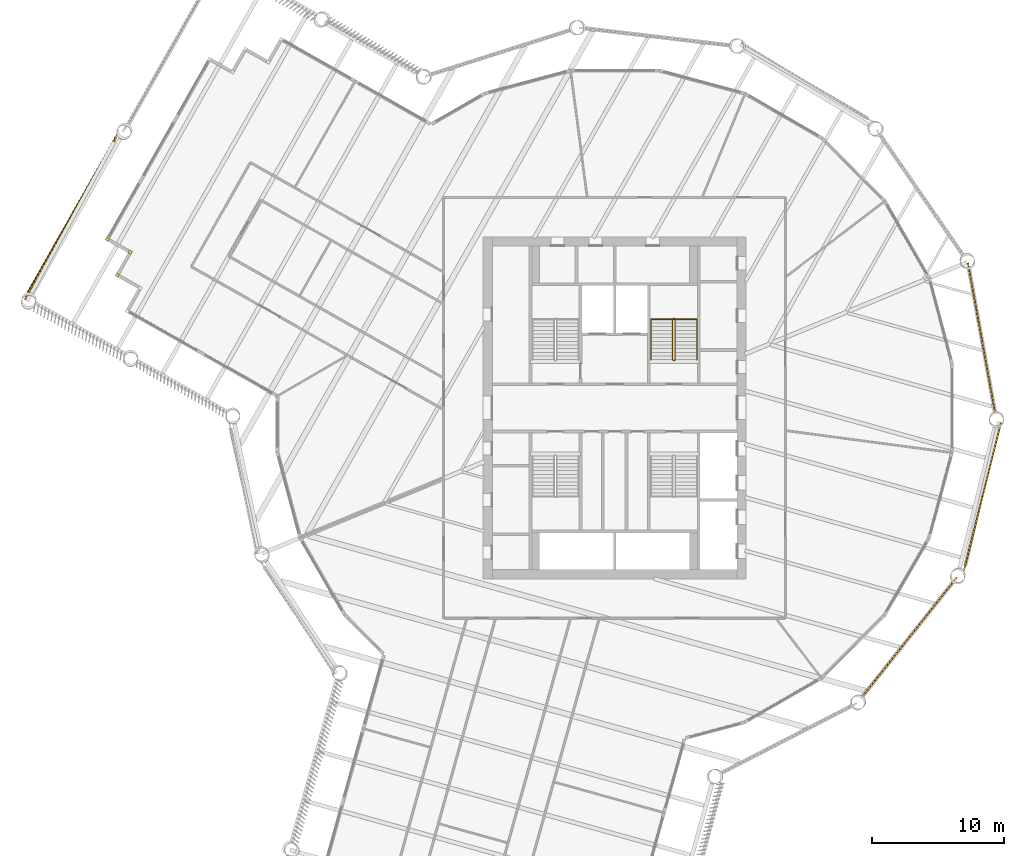
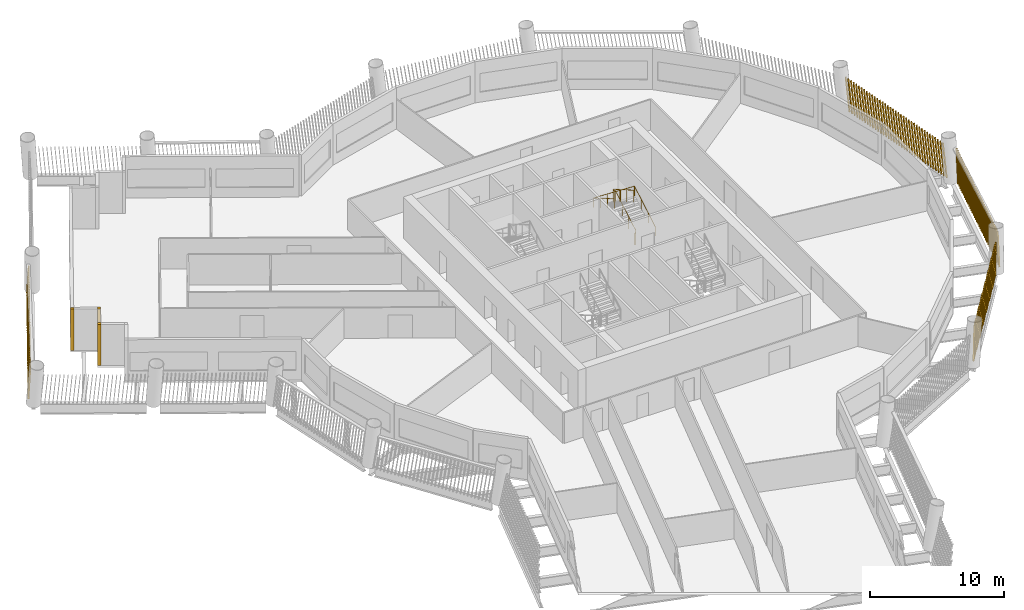
# One storey, part 13 of 15: 7 shading devices, 2 railings.
"""IFC4 building model written with IfcOpenShell, lengths in metres."""

from ifc_helpers import new_model, si_unit, direction, frame, frame_2d, origin, origin_2d, place, context, subcontext, project, spatial, rectangle, circle, composite_profile, extrude, material, type_object, element, save


model = new_model("IFC4")

# Units and contexts
model_context = context("Model", 3, precision=1e-05, world=origin(), true_north=direction((0.0, 1.0)))
body_context = subcontext(model_context, "Body", "Model", "MODEL_VIEW")
ifc_project = project(units=[si_unit("LENGTHUNIT", "METRE"), si_unit("AREAUNIT", "SQUARE_METRE"), si_unit("VOLUMEUNIT", "CUBIC_METRE"), si_unit("PLANEANGLEUNIT", "RADIAN"), si_unit("MASSUNIT", "GRAM", prefix="KILO")], contexts=[model_context])

# Site, building, storey
site_placement = place(None, origin())
site = spatial("IfcSite", under=ifc_project, at=site_placement, CompositionType="ELEMENT")
building_placement = place(site_placement, origin())
building = spatial("IfcBuilding", under=site, at=building_placement, Name="Tarsis Ring Headquarters", CompositionType="ELEMENT")
storey_placement = place(building_placement, frame((0.0, 0.0, 159.300048828125)))
storey = spatial("IfcBuildingStorey", under=building, at=storey_placement, Name="L36", CompositionType="ELEMENT", Elevation=159.300048828125)

# Railings
ifc_material_1 = material(Name="Steel S355", Category="steel")
railing_type_1 = type_object("IfcRailingType", Name="Core stair guard 1100", PredefinedType="GUARDRAIL", material=ifc_material_1)
railing_1_placement = place(storey_placement, frame((4.4599609375, 3.610107421875, 0.0)))
element("IfcRailing", 1, at=railing_1_placement, inside=storey, type_object=railing_type_1, Name="L36 ST2 stair guard 1", PredefinedType="GUARDRAIL", context=body_context, shape_type="SweptSolid", body=[
    extrude(circle(Radius=0.02392578125, at=origin_2d()), frame((0.0, 0.0, 1.076171875), z_axis=(1.0, 0.0, 0.0), x_axis=(0.0, 1.0, 0.0)), (0.0, 0.0, 1.0), 0.080078125),
    extrude(circle(Radius=0.02392578125, at=origin_2d()), frame((0.080078125, 0.0, 1.076171875), z_axis=(0.282693820306, 0.281314826061, 0.917031173188), x_axis=(-0.705375805398, 0.708833529934, 0.0)), (0.0, 0.0, 1.0), 0.177001953125),
    extrude(circle(Radius=0.02392578125, at=origin_2d()), frame((0.130126953125, 0.0498046875, 1.23828125), z_axis=(0.0, 0.864890721111, 0.501960198159), x_axis=(-1.0, 0.0, 0.0)), (0.0, 0.0, 1.0), 3.561279296875),
    extrude(circle(Radius=0.02392578125, at=origin_2d()), frame((0.130126953125, 3.1298828125, 3.02587890625), z_axis=(-0.707106781187, 0.707106781187, 0.0), x_axis=(-0.707106781187, -0.707106781187, 0.0)), (0.0, 0.0, 1.0), 0.07080078125),
    extrude(circle(Radius=0.02392578125, at=origin_2d()), frame((0.080078125, 3.179931640625, 3.02587890625), z_axis=(-1.0, 0.0, 0.0), x_axis=(0.0, -1.0, 0.0)), (0.0, 0.0, 1.0), 0.080078125),
    extrude(circle(Radius=0.02392578125, at=origin_2d()), frame((0.0, 3.179931640625, 3.02587890625), z_axis=(-0.282227285176, -0.282227285176, 0.916894497205), x_axis=(0.707106781187, -0.707106781187, 0.0)), (0.0, 0.0, 1.0), 0.17724609375),
    extrude(circle(Radius=0.02392578125, at=origin_2d()), frame((-0.050048828125, 3.1298828125, 3.1884765625), z_axis=(0.0, -0.864920483161, 0.501908913857), x_axis=(1.0, 0.0, 0.0)), (0.0, 0.0, 1.0), 3.56103515625),
    extrude(circle(Radius=0.02099609375, at=origin_2d()), origin(), (0.0, 0.0, 1.0), 1.052001953125),
    extrude(circle(Radius=0.02099609375, at=origin_2d()), frame((0.080078125, 0.0, 0.0)), (0.0, 0.0, 1.0), 1.052001953125),
    extrude(circle(Radius=0.02099609375, at=origin_2d()), frame((0.130126953125, 0.0498046875, 0.162353515625)), (0.0, 0.0, 1.0), 1.052001953125),
    extrude(circle(Radius=0.02099609375, at=origin_2d()), frame((0.130126953125, 1.076416015625, 0.75830078125)), (0.0, 0.0, 1.0), 1.052001953125),
    extrude(circle(Radius=0.02099609375, at=origin_2d()), frame((0.130126953125, 2.103271484375, 1.35400390625)), (0.0, 0.0, 1.0), 1.052001953125),
    extrude(circle(Radius=0.02099609375, at=origin_2d()), frame((0.130126953125, 3.1298828125, 1.949951171875)), (0.0, 0.0, 1.0), 1.052001953125),
    extrude(circle(Radius=0.02099609375, at=origin_2d()), frame((0.080078125, 3.179931640625, 1.949951171875)), (0.0, 0.0, 1.0), 1.052001953125),
    extrude(circle(Radius=0.02099609375, at=origin_2d()), frame((0.0, 3.179931640625, 1.949951171875)), (0.0, 0.0, 1.0), 1.052001953125),
    extrude(circle(Radius=0.02099609375, at=origin_2d()), frame((-0.050048828125, 3.1298828125, 2.112548828125)), (0.0, 0.0, 1.0), 1.052001953125),
    extrude(circle(Radius=0.02099609375, at=origin_2d()), frame((-0.050048828125, 2.103271484375, 2.708251953125)), (0.0, 0.0, 1.0), 1.052001953125),
    extrude(circle(Radius=0.02099609375, at=origin_2d()), frame((-0.050048828125, 1.076416015625, 3.30419921875)), (0.0, 0.0, 1.0), 1.052001953125),
    extrude(circle(Radius=0.02099609375, at=origin_2d()), frame((-0.050048828125, 0.0498046875, 3.89990234375)), (0.0, 0.0, 1.0), 1.052001953125),
])
railing_type_2 = type_object("IfcRailingType", Name="Core stair handrail 900", PredefinedType="HANDRAIL", material=ifc_material_1)
railing_2_placement = place(storey_placement, frame((6.25, 3.659912109375, 0.162353515625)))
element("IfcRailing", 2, at=railing_2_placement, inside=storey, type_object=railing_type_2, Name="L36 ST2 stair handrail 1", PredefinedType="HANDRAIL", context=body_context, shape_type="SweptSolid", body=[
    extrude(circle(Radius=0.02392578125, at=origin_2d()), frame((0.0, 0.0, 0.8759765625), z_axis=(0.0, 0.864890721111, 0.501960198159), x_axis=(-1.0, 0.0, 0.0)), (0.0, 0.0, 1.0), 3.561279296875),
    extrude(circle(Radius=0.02392578125, at=origin_2d()), frame((0.0, 3.080078125, 2.66357421875), z_axis=(-0.998922641604, 0.0, 0.046406422943), x_axis=(0.0, -1.0, 0.0)), (0.0, 0.0, 1.0), 3.503662109375),
    extrude(circle(Radius=0.02392578125, at=origin_2d()), frame((-3.5, 3.080078125, 2.826171875), z_axis=(0.0, -0.864920483161, 0.501908913857), x_axis=(1.0, 0.0, 0.0)), (0.0, 0.0, 1.0), 3.56103515625),
    extrude(circle(Radius=0.02099609375, at=origin_2d()), origin(), (0.0, 0.0, 1.0), 0.851806640625),
    extrude(circle(Radius=0.02099609375, at=origin_2d()), frame((0.0, 1.026611328125, 0.595947265625)), (0.0, 0.0, 1.0), 0.851806640625),
    extrude(circle(Radius=0.02099609375, at=origin_2d()), frame((0.0, 2.053466796875, 1.191650390625)), (0.0, 0.0, 1.0), 0.851806640625),
    extrude(circle(Radius=0.02099609375, at=origin_2d()), frame((0.0, 3.080078125, 1.78759765625)), (0.0, 0.0, 1.0), 0.851806640625),
    extrude(circle(Radius=0.02099609375, at=origin_2d()), frame((-1.166748046875, 3.080078125, 1.841796875)), (0.0, 0.0, 1.0), 0.851806640625),
    extrude(circle(Radius=0.02099609375, at=origin_2d()), frame((-2.333251953125, 3.080078125, 1.89599609375)), (0.0, 0.0, 1.0), 0.851806640625),
    extrude(circle(Radius=0.02099609375, at=origin_2d()), frame((-3.5, 3.080078125, 1.9501953125)), (0.0, 0.0, 1.0), 0.851806640625),
    extrude(circle(Radius=0.02099609375, at=origin_2d()), frame((-3.5, 2.053466796875, 2.5458984375)), (0.0, 0.0, 1.0), 0.851806640625),
    extrude(circle(Radius=0.02099609375, at=origin_2d()), frame((-3.5, 1.026611328125, 3.141845703125)), (0.0, 0.0, 1.0), 0.851806640625),
    extrude(circle(Radius=0.02099609375, at=origin_2d()), frame((-3.5, 0.0, 3.737548828125)), (0.0, 0.0, 1.0), 0.851806640625),
])

# Shading devices
ifc_material_2 = material(Name="Terracotta baguette", Category="masonry")
shading_device_type_1 = type_object("IfcShadingDeviceType", Name="Terracotta baguette screen", PredefinedType="USERDEFINED", material=ifc_material_2)
shading_device_1_placement = place(storey_placement, frame((18.753662109375, -22.051025390625, 0.0), z_axis=(0.0, 0.0, 1.0), x_axis=(0.621356483993, 0.783526858383, 0.0)))
element("IfcShadingDevice", 3, at=shading_device_1_placement, inside=storey, type_object=shading_device_type_1, Name="Baguette screen L36-08", ObjectType="Terracotta baguette screen", PredefinedType="USERDEFINED", context=body_context, shape_type="SweptSolid", body=[
    extrude(composite_profile([rectangle(XDim=0.06005859375, YDim=0.1201171875, at=frame_2d((0.030029296875, 0.0))), rectangle(XDim=0.06005859375, YDim=0.1201171875, at=frame_2d((0.33251953125, 0.0))), rectangle(XDim=0.06005859375, YDim=0.1201171875, at=frame_2d((0.634765625, 0.0))), rectangle(XDim=0.06005859375, YDim=0.1201171875, at=frame_2d((0.937255859375, 0.0))), rectangle(XDim=0.06005859375, YDim=0.1201171875, at=frame_2d((1.239501953125, 0.0))), rectangle(XDim=0.06005859375, YDim=0.1201171875, at=frame_2d((1.5419921875, 0.0))), rectangle(XDim=0.06005859375, YDim=0.1201171875, at=frame_2d((1.844482421875, 0.0))), rectangle(XDim=0.06005859375, YDim=0.1201171875, at=frame_2d((2.146728515625, 0.0))), rectangle(XDim=0.06005859375, YDim=0.1201171875, at=frame_2d((2.44921875, 0.0))), rectangle(XDim=0.06005859375, YDim=0.1201171875, at=frame_2d((2.751708984375, 0.0))), rectangle(XDim=0.06005859375, YDim=0.1201171875, at=frame_2d((3.053955078125, 0.0))), rectangle(XDim=0.06005859375, YDim=0.1201171875, at=frame_2d((3.3564453125, 0.0))), rectangle(XDim=0.06005859375, YDim=0.1201171875, at=frame_2d((3.65869140625, 0.0))), rectangle(XDim=0.06005859375, YDim=0.1201171875, at=frame_2d((3.961181640625, 0.0))), rectangle(XDim=0.06005859375, YDim=0.1201171875, at=frame_2d((4.263671875, 0.0))), rectangle(XDim=0.06005859375, YDim=0.1201171875, at=frame_2d((4.56591796875, 0.0))), rectangle(XDim=0.06005859375, YDim=0.1201171875, at=frame_2d((4.868408203125, 0.0))), rectangle(XDim=0.06005859375, YDim=0.1201171875, at=frame_2d((5.1708984375, 0.0))), rectangle(XDim=0.06005859375, YDim=0.1201171875, at=frame_2d((5.47314453125, 0.0))), rectangle(XDim=0.06005859375, YDim=0.1201171875, at=frame_2d((5.775634765625, 0.0))), rectangle(XDim=0.06005859375, YDim=0.1201171875, at=frame_2d((6.077880859375, 0.0))), rectangle(XDim=0.06005859375, YDim=0.1201171875, at=frame_2d((6.38037109375, 0.0))), rectangle(XDim=0.06005859375, YDim=0.1201171875, at=frame_2d((6.682861328125, 0.0))), rectangle(XDim=0.06005859375, YDim=0.1201171875, at=frame_2d((6.985107421875, 0.0))), rectangle(XDim=0.06005859375, YDim=0.1201171875, at=frame_2d((7.28759765625, 0.0))), rectangle(XDim=0.06005859375, YDim=0.1201171875, at=frame_2d((7.590087890625, 0.0))), rectangle(XDim=0.06005859375, YDim=0.1201171875, at=frame_2d((7.892333984375, 0.0))), rectangle(XDim=0.06005859375, YDim=0.1201171875, at=frame_2d((8.19482421875, 0.0))), rectangle(XDim=0.06005859375, YDim=0.1201171875, at=frame_2d((8.4970703125, 0.0))), rectangle(XDim=0.06005859375, YDim=0.1201171875, at=frame_2d((8.799560546875, 0.0))), rectangle(XDim=0.06005859375, YDim=0.1201171875, at=frame_2d((9.10205078125, 0.0))), rectangle(XDim=0.06005859375, YDim=0.1201171875, at=frame_2d((9.404296875, 0.0))), rectangle(XDim=0.06005859375, YDim=0.1201171875, at=frame_2d((9.706787109375, 0.0))), rectangle(XDim=0.06005859375, YDim=0.1201171875, at=frame_2d((10.00927734375, 0.0))), rectangle(XDim=0.06005859375, YDim=0.1201171875, at=frame_2d((10.3115234375, 0.0))), rectangle(XDim=0.06005859375, YDim=0.1201171875, at=frame_2d((10.614013671875, 0.0))), rectangle(XDim=0.06005859375, YDim=0.1201171875, at=frame_2d((10.916259765625, 0.0))), rectangle(XDim=0.06005859375, YDim=0.1201171875, at=frame_2d((11.21875, 0.0)))]), origin(), (0.149495777779, 0.001171911349, 0.988761669489), 2.9833984375),
])
shading_device_2_placement = place(storey_placement, frame((26.539306640625, -12.45166015625, 0.0), z_axis=(0.0, 0.0, 1.0), x_axis=(0.243168746609, 0.969983722192, 0.0)))
element("IfcShadingDevice", 4, at=shading_device_2_placement, inside=storey, type_object=shading_device_type_1, Name="Baguette screen L36-09", ObjectType="Terracotta baguette screen", PredefinedType="USERDEFINED", context=body_context, shape_type="SweptSolid", body=[
    extrude(composite_profile([rectangle(XDim=0.06005859375, YDim=0.1201171875, at=frame_2d((0.030029296875, 0.0))), rectangle(XDim=0.06005859375, YDim=0.1201171875, at=frame_2d((0.33251953125, 0.0))), rectangle(XDim=0.06005859375, YDim=0.1201171875, at=frame_2d((0.634765625, 0.0))), rectangle(XDim=0.06005859375, YDim=0.1201171875, at=frame_2d((0.937255859375, 0.0))), rectangle(XDim=0.06005859375, YDim=0.1201171875, at=frame_2d((1.239501953125, 0.0))), rectangle(XDim=0.06005859375, YDim=0.1201171875, at=frame_2d((1.5419921875, 0.0))), rectangle(XDim=0.06005859375, YDim=0.1201171875, at=frame_2d((1.844482421875, 0.0))), rectangle(XDim=0.06005859375, YDim=0.1201171875, at=frame_2d((2.146728515625, 0.0))), rectangle(XDim=0.06005859375, YDim=0.1201171875, at=frame_2d((2.44921875, 0.0))), rectangle(XDim=0.06005859375, YDim=0.1201171875, at=frame_2d((2.751708984375, 0.0))), rectangle(XDim=0.06005859375, YDim=0.1201171875, at=frame_2d((3.053955078125, 0.0))), rectangle(XDim=0.06005859375, YDim=0.1201171875, at=frame_2d((3.3564453125, 0.0))), rectangle(XDim=0.06005859375, YDim=0.1201171875, at=frame_2d((3.65869140625, 0.0))), rectangle(XDim=0.06005859375, YDim=0.1201171875, at=frame_2d((3.961181640625, 0.0))), rectangle(XDim=0.06005859375, YDim=0.1201171875, at=frame_2d((4.263671875, 0.0))), rectangle(XDim=0.06005859375, YDim=0.1201171875, at=frame_2d((4.56591796875, 0.0))), rectangle(XDim=0.06005859375, YDim=0.1201171875, at=frame_2d((4.868408203125, 0.0))), rectangle(XDim=0.06005859375, YDim=0.1201171875, at=frame_2d((5.1708984375, 0.0))), rectangle(XDim=0.06005859375, YDim=0.1201171875, at=frame_2d((5.47314453125, 0.0))), rectangle(XDim=0.06005859375, YDim=0.1201171875, at=frame_2d((5.775634765625, 0.0))), rectangle(XDim=0.06005859375, YDim=0.1201171875, at=frame_2d((6.077880859375, 0.0))), rectangle(XDim=0.06005859375, YDim=0.1201171875, at=frame_2d((6.38037109375, 0.0))), rectangle(XDim=0.06005859375, YDim=0.1201171875, at=frame_2d((6.682861328125, 0.0))), rectangle(XDim=0.06005859375, YDim=0.1201171875, at=frame_2d((6.985107421875, 0.0))), rectangle(XDim=0.06005859375, YDim=0.1201171875, at=frame_2d((7.28759765625, 0.0))), rectangle(XDim=0.06005859375, YDim=0.1201171875, at=frame_2d((7.590087890625, 0.0))), rectangle(XDim=0.06005859375, YDim=0.1201171875, at=frame_2d((7.892333984375, 0.0))), rectangle(XDim=0.06005859375, YDim=0.1201171875, at=frame_2d((8.19482421875, 0.0))), rectangle(XDim=0.06005859375, YDim=0.1201171875, at=frame_2d((8.4970703125, 0.0))), rectangle(XDim=0.06005859375, YDim=0.1201171875, at=frame_2d((8.799560546875, 0.0))), rectangle(XDim=0.06005859375, YDim=0.1201171875, at=frame_2d((9.10205078125, 0.0))), rectangle(XDim=0.06005859375, YDim=0.1201171875, at=frame_2d((9.404296875, 0.0))), rectangle(XDim=0.06005859375, YDim=0.1201171875, at=frame_2d((9.706787109375, 0.0))), rectangle(XDim=0.06005859375, YDim=0.1201171875, at=frame_2d((10.00927734375, 0.0))), rectangle(XDim=0.06005859375, YDim=0.1201171875, at=frame_2d((10.3115234375, 0.0))), rectangle(XDim=0.06005859375, YDim=0.1201171875, at=frame_2d((10.614013671875, 0.0))), rectangle(XDim=0.06005859375, YDim=0.1201171875, at=frame_2d((10.916259765625, 0.0))), rectangle(XDim=0.06005859375, YDim=0.1201171875, at=frame_2d((11.21875, 0.0)))]), origin(), (0.151425158281, 0.001189384074, 0.988468010006), 2.984375),
])
shading_device_3_placement = place(storey_placement, frame((28.943359375, -0.472412109375, 0.0), z_axis=(0.0, 0.0, 1.0), x_axis=(-0.17827455236, 0.983982637005, 0.0)))
element("IfcShadingDevice", 5, at=shading_device_3_placement, inside=storey, type_object=shading_device_type_1, Name="Baguette screen L36-10", ObjectType="Terracotta baguette screen", PredefinedType="USERDEFINED", context=body_context, shape_type="SweptSolid", body=[
    extrude(composite_profile([rectangle(XDim=0.06005859375, YDim=0.1201171875, at=frame_2d((0.030029296875, 0.0))), rectangle(XDim=0.06005859375, YDim=0.1201171875, at=frame_2d((0.33251953125, 0.0))), rectangle(XDim=0.06005859375, YDim=0.1201171875, at=frame_2d((0.634765625, 0.0))), rectangle(XDim=0.06005859375, YDim=0.1201171875, at=frame_2d((0.937255859375, 0.0))), rectangle(XDim=0.06005859375, YDim=0.1201171875, at=frame_2d((1.239501953125, 0.0))), rectangle(XDim=0.06005859375, YDim=0.1201171875, at=frame_2d((1.5419921875, 0.0))), rectangle(XDim=0.06005859375, YDim=0.1201171875, at=frame_2d((1.844482421875, 0.0))), rectangle(XDim=0.06005859375, YDim=0.1201171875, at=frame_2d((2.146728515625, 0.0))), rectangle(XDim=0.06005859375, YDim=0.1201171875, at=frame_2d((2.44921875, 0.0))), rectangle(XDim=0.06005859375, YDim=0.1201171875, at=frame_2d((2.751708984375, 0.0))), rectangle(XDim=0.06005859375, YDim=0.1201171875, at=frame_2d((3.053955078125, 0.0))), rectangle(XDim=0.06005859375, YDim=0.1201171875, at=frame_2d((3.3564453125, 0.0))), rectangle(XDim=0.06005859375, YDim=0.1201171875, at=frame_2d((3.65869140625, 0.0))), rectangle(XDim=0.06005859375, YDim=0.1201171875, at=frame_2d((3.961181640625, 0.0))), rectangle(XDim=0.06005859375, YDim=0.1201171875, at=frame_2d((4.263671875, 0.0))), rectangle(XDim=0.06005859375, YDim=0.1201171875, at=frame_2d((4.56591796875, 0.0))), rectangle(XDim=0.06005859375, YDim=0.1201171875, at=frame_2d((4.868408203125, 0.0))), rectangle(XDim=0.06005859375, YDim=0.1201171875, at=frame_2d((5.1708984375, 0.0))), rectangle(XDim=0.06005859375, YDim=0.1201171875, at=frame_2d((5.47314453125, 0.0))), rectangle(XDim=0.06005859375, YDim=0.1201171875, at=frame_2d((5.775634765625, 0.0))), rectangle(XDim=0.06005859375, YDim=0.1201171875, at=frame_2d((6.077880859375, 0.0))), rectangle(XDim=0.06005859375, YDim=0.1201171875, at=frame_2d((6.38037109375, 0.0))), rectangle(XDim=0.06005859375, YDim=0.1201171875, at=frame_2d((6.682861328125, 0.0))), rectangle(XDim=0.06005859375, YDim=0.1201171875, at=frame_2d((6.985107421875, 0.0))), rectangle(XDim=0.06005859375, YDim=0.1201171875, at=frame_2d((7.28759765625, 0.0))), rectangle(XDim=0.06005859375, YDim=0.1201171875, at=frame_2d((7.590087890625, 0.0))), rectangle(XDim=0.06005859375, YDim=0.1201171875, at=frame_2d((7.892333984375, 0.0))), rectangle(XDim=0.06005859375, YDim=0.1201171875, at=frame_2d((8.19482421875, 0.0))), rectangle(XDim=0.06005859375, YDim=0.1201171875, at=frame_2d((8.4970703125, 0.0))), rectangle(XDim=0.06005859375, YDim=0.1201171875, at=frame_2d((8.799560546875, 0.0))), rectangle(XDim=0.06005859375, YDim=0.1201171875, at=frame_2d((9.10205078125, 0.0))), rectangle(XDim=0.06005859375, YDim=0.1201171875, at=frame_2d((9.404296875, 0.0))), rectangle(XDim=0.06005859375, YDim=0.1201171875, at=frame_2d((9.706787109375, 0.0))), rectangle(XDim=0.06005859375, YDim=0.1201171875, at=frame_2d((10.00927734375, 0.0))), rectangle(XDim=0.06005859375, YDim=0.1201171875, at=frame_2d((10.3115234375, 0.0))), rectangle(XDim=0.06005859375, YDim=0.1201171875, at=frame_2d((10.614013671875, 0.0))), rectangle(XDim=0.06005859375, YDim=0.1201171875, at=frame_2d((10.916259765625, 0.0))), rectangle(XDim=0.06005859375, YDim=0.1201171875, at=frame_2d((11.21875, 0.0)))]), origin(), (0.149496358619, 0.001172933665, 0.988761580456), 2.9833984375),
])
shading_device_4_placement = place(storey_placement, frame((-37.802001953125, 20.86474609375, 0.0), z_axis=(0.0, 0.0, 1.0), x_axis=(-0.493339230429, -0.869827509951, 0.0)))
element("IfcShadingDevice", 6, at=shading_device_4_placement, inside=storey, type_object=shading_device_type_1, Name="Baguette screen L36-18", ObjectType="Terracotta baguette screen", PredefinedType="USERDEFINED", context=body_context, shape_type="SweptSolid", body=[
    extrude(composite_profile([rectangle(XDim=0.06005859375, YDim=0.1201171875, at=frame_2d((0.030029296875, 0.0))), rectangle(XDim=0.06005859375, YDim=0.1201171875, at=frame_2d((0.33544921875, 0.0))), rectangle(XDim=0.06005859375, YDim=0.1201171875, at=frame_2d((0.640625, 0.0))), rectangle(XDim=0.06005859375, YDim=0.1201171875, at=frame_2d((0.946044921875, 0.0))), rectangle(XDim=0.06005859375, YDim=0.1201171875, at=frame_2d((1.25146484375, 0.0))), rectangle(XDim=0.06005859375, YDim=0.1201171875, at=frame_2d((1.556640625, 0.0))), rectangle(XDim=0.06005859375, YDim=0.1201171875, at=frame_2d((1.862060546875, 0.0))), rectangle(XDim=0.06005859375, YDim=0.1201171875, at=frame_2d((2.16748046875, 0.0))), rectangle(XDim=0.06005859375, YDim=0.1201171875, at=frame_2d((2.47265625, 0.0))), rectangle(XDim=0.06005859375, YDim=0.1201171875, at=frame_2d((2.778076171875, 0.0))), rectangle(XDim=0.06005859375, YDim=0.1201171875, at=frame_2d((3.08349609375, 0.0))), rectangle(XDim=0.06005859375, YDim=0.1201171875, at=frame_2d((3.388671875, 0.0))), rectangle(XDim=0.06005859375, YDim=0.1201171875, at=frame_2d((3.694091796875, 0.0))), rectangle(XDim=0.06005859375, YDim=0.1201171875, at=frame_2d((3.99951171875, 0.0))), rectangle(XDim=0.06005859375, YDim=0.1201171875, at=frame_2d((4.3046875, 0.0))), rectangle(XDim=0.06005859375, YDim=0.1201171875, at=frame_2d((4.610107421875, 0.0))), rectangle(XDim=0.06005859375, YDim=0.1201171875, at=frame_2d((4.91552734375, 0.0))), rectangle(XDim=0.06005859375, YDim=0.1201171875, at=frame_2d((5.220703125, 0.0))), rectangle(XDim=0.06005859375, YDim=0.1201171875, at=frame_2d((5.526123046875, 0.0))), rectangle(XDim=0.06005859375, YDim=0.1201171875, at=frame_2d((5.83154296875, 0.0))), rectangle(XDim=0.06005859375, YDim=0.1201171875, at=frame_2d((6.13671875, 0.0))), rectangle(XDim=0.06005859375, YDim=0.1201171875, at=frame_2d((6.442138671875, 0.0))), rectangle(XDim=0.06005859375, YDim=0.1201171875, at=frame_2d((6.74755859375, 0.0))), rectangle(XDim=0.06005859375, YDim=0.1201171875, at=frame_2d((7.052734375, 0.0))), rectangle(XDim=0.06005859375, YDim=0.1201171875, at=frame_2d((7.358154296875, 0.0))), rectangle(XDim=0.06005859375, YDim=0.1201171875, at=frame_2d((7.66357421875, 0.0))), rectangle(XDim=0.06005859375, YDim=0.1201171875, at=frame_2d((7.96875, 0.0))), rectangle(XDim=0.06005859375, YDim=0.1201171875, at=frame_2d((8.274169921875, 0.0))), rectangle(XDim=0.06005859375, YDim=0.1201171875, at=frame_2d((8.57958984375, 0.0))), rectangle(XDim=0.06005859375, YDim=0.1201171875, at=frame_2d((8.884765625, 0.0))), rectangle(XDim=0.06005859375, YDim=0.1201171875, at=frame_2d((9.190185546875, 0.0))), rectangle(XDim=0.06005859375, YDim=0.1201171875, at=frame_2d((9.49560546875, 0.0))), rectangle(XDim=0.06005859375, YDim=0.1201171875, at=frame_2d((9.80078125, 0.0))), rectangle(XDim=0.06005859375, YDim=0.1201171875, at=frame_2d((10.106201171875, 0.0))), rectangle(XDim=0.06005859375, YDim=0.1201171875, at=frame_2d((10.41162109375, 0.0))), rectangle(XDim=0.06005859375, YDim=0.1201171875, at=frame_2d((10.716796875, 0.0))), rectangle(XDim=0.06005859375, YDim=0.1201171875, at=frame_2d((11.022216796875, 0.0))), rectangle(XDim=0.06005859375, YDim=0.1201171875, at=frame_2d((11.32763671875, 0.0))), rectangle(XDim=0.06005859375, YDim=0.1201171875, at=frame_2d((11.6328125, 0.0))), rectangle(XDim=0.06005859375, YDim=0.1201171875, at=frame_2d((11.938232421875, 0.0))), rectangle(XDim=0.06005859375, YDim=0.1201171875, at=frame_2d((12.24365234375, 0.0))), rectangle(XDim=0.06005859375, YDim=0.1201171875, at=frame_2d((12.548828125, 0.0))), rectangle(XDim=0.06005859375, YDim=0.1201171875, at=frame_2d((12.854248046875, 0.0))), rectangle(XDim=0.06005859375, YDim=0.1201171875, at=frame_2d((13.15966796875, 0.0))), rectangle(XDim=0.06005859375, YDim=0.1201171875, at=frame_2d((13.46484375, 0.0))), rectangle(XDim=0.06005859375, YDim=0.1201171875, at=frame_2d((13.770263671875, 0.0)))]), origin(), (0.223576902764, 0.040132458176, 0.973859720058), 3.029052734375),
])
shading_device_type_2 = type_object("IfcShadingDeviceType", Name="Terracotta corner baguette 250x250", PredefinedType="USERDEFINED", material=ifc_material_2)
for number, where, z_axis, x_axis, name in (
    (7, (-38.56982421875, 12.82177734375, 0.0), (0.0, 0.0, 1.0), (-0.493334739471, -0.869839545452, 0.0), "Corner baguette L36-37"),
    (8, (-36.830078125, 11.8349609375, 0.0), (0.0, 0.0, 1.0), (0.869839640165, -0.493334572473, 0.0), "Corner baguette L36-38"),
    (9, (-37.81689453125, 10.095458984375, 0.0), (0.0, 0.0, 1.0), (-0.493334952012, -0.869839424907, 0.0), "Corner baguette L36-39"),
):
    element("IfcShadingDevice", number, at=place(storey_placement, frame(where, z_axis=z_axis, x_axis=x_axis)), inside=storey, type_object=shading_device_type_2, Name=name, ObjectType="Terracotta corner baguette", PredefinedType="USERDEFINED", context=body_context, shape_type="SweptSolid", body=[
        extrude(rectangle(XDim=0.25, YDim=0.25, at=origin_2d()), origin(), (0.0, 0.0, 1.0), 3.739990234375),
    ])

save(model, "model.ifc")
